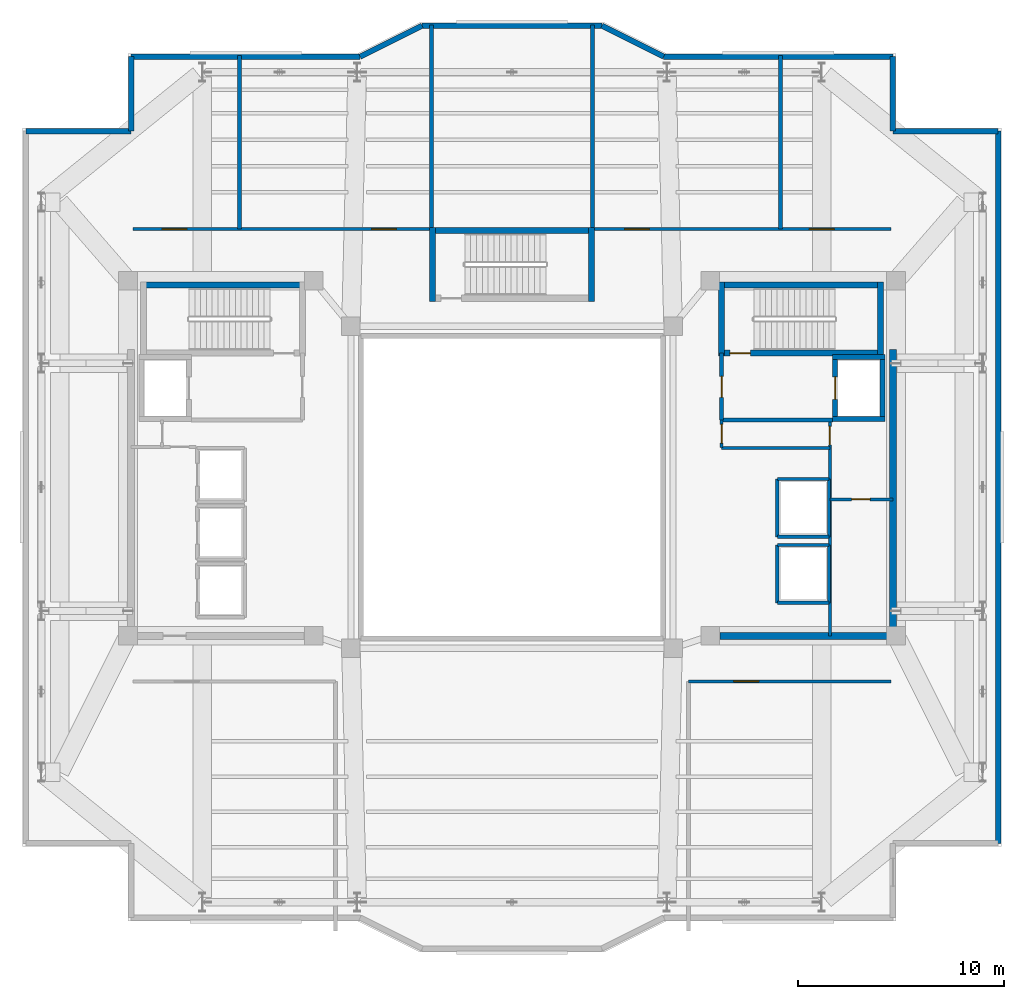
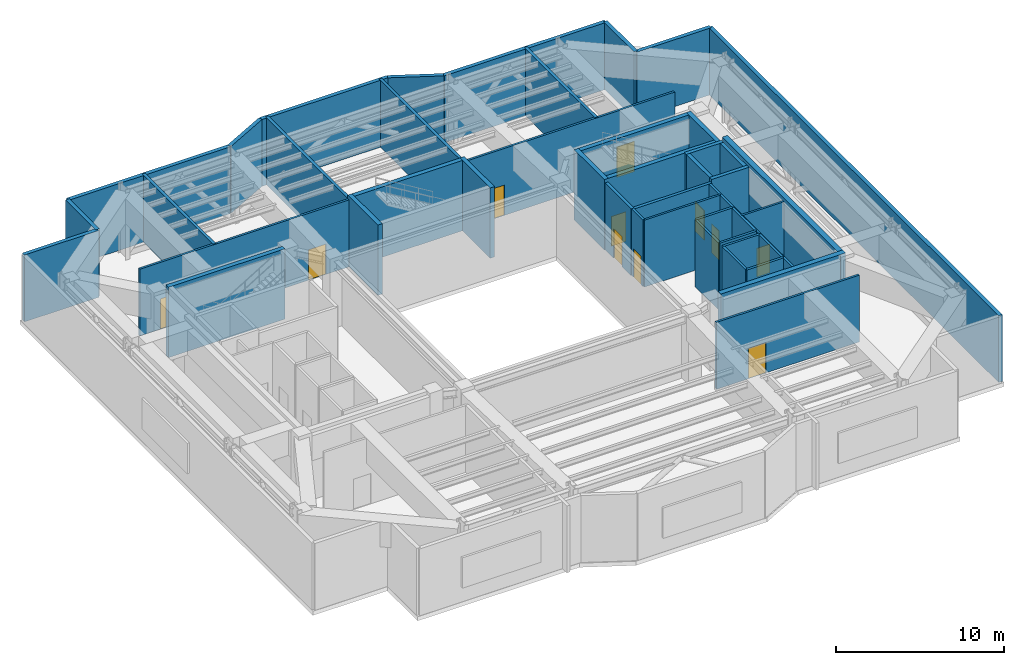
# One storey, part 9 of 13: 45 walls, 11 doors, 11 openings.
"""IFC4 building model written with IfcOpenShell, lengths in metres."""

from ifc_helpers import new_model, si_unit, direction, frame, frame_2d, origin, place, context, subcontext, project, spatial, rectangle, extrude, material, layer, layer_set, type_object, element, fill, save


model = new_model("IFC4")

# Units and contexts
model_context = context("Model", 3, precision=1e-05, world=origin(), true_north=direction((0.0, 1.0)))
body_context = subcontext(model_context, "Body", "Model", "MODEL_VIEW")
ifc_project = project(units=[si_unit("LENGTHUNIT", "METRE"), si_unit("AREAUNIT", "SQUARE_METRE"), si_unit("VOLUMEUNIT", "CUBIC_METRE"), si_unit("PLANEANGLEUNIT", "RADIAN"), si_unit("MASSUNIT", "GRAM", prefix="KILO")], contexts=[model_context])

# Site, building, storey
site_placement = place(None, origin())
site = spatial("IfcSite", under=ifc_project, at=site_placement, CompositionType="ELEMENT")
building_placement = place(site_placement, origin())
building = spatial("IfcBuilding", under=site, at=building_placement, Name="Tarnavaz Court Tower", CompositionType="ELEMENT")
storey_placement = place(building_placement, frame((0.0, 0.0, 236.39990234375)))
storey = spatial("IfcBuildingStorey", under=building, at=storey_placement, Name="L64", CompositionType="ELEMENT", Elevation=236.39990234375)

# Wall, opening, door
ifc_material_1 = material(Name="Concrete C50/60", Category="concrete")
ifc_layer_1 = layer(ifc_material_1, 0.25)
ifc_layer_set_1 = layer_set([ifc_layer_1], Name="Concrete C50/60")
wall_type_1 = type_object("IfcWallType", Name="WL-CORE-250-C50", PredefinedType="SHEAR", material=ifc_layer_set_1)
wall_1_placement = place(storey_placement, frame((15.64990234375, 3.175048828125, 0.0), z_axis=(0.0, 0.0, 1.0), x_axis=(0.0, 1.0, 0.0)))
wall_1 = element("IfcWall", 1, at=wall_1_placement, inside=storey, type_object=wall_type_1, Name="L64 Lift FL-E1 Shaft Wall 033", PredefinedType="SHEAR", context=body_context, shape_type="SweptSolid", body=[
    extrude(rectangle(XDim=3.25, YDim=0.25, at=frame_2d((1.625, 0.0))), origin(), (0.0, 0.0, 1.0), 5.10009765625),
])
opening_1_placement = place(wall_1_placement, frame((1.074951171875, 0.0, 0.0)))
opening_1 = element("IfcOpeningElement", 2, at=opening_1_placement, cuts=wall_1, Name="Opening LD1", PredefinedType="OPENING", context=body_context, shape_type="SweptSolid", body=[
    extrude(rectangle(XDim=1.10009765625, YDim=2.14990234375, at=frame_2d((0.550048828125, 1.074951171875))), frame((0.0, 0.135009765625, 0.0), z_axis=(0.0, -1.0, 0.0), x_axis=(1.0, 0.0, 0.0)), (0.0, 0.0, 1.0), 0.27001953125),
])
ifc_material_2 = material(Name="Stainless Steel", Category="steel")
door_type_1 = type_object("IfcDoorType", Name="DR-LD-1100", OperationType="NOTDEFINED", PredefinedType="DOOR", material=ifc_material_2)
door_1_placement = place(opening_1_placement, origin())
door_1 = element("IfcDoor", 3, at=door_1_placement, inside=storey, type_object=door_type_1, Name="L64 Lift Landing Door LD-FL-E1", OperationType="SLIDING_TO_LEFT", OverallHeight=2.14990234375, OverallWidth=1.10009765625, PredefinedType="DOOR", context=body_context, shape_type="SweptSolid", body=[
    extrude(rectangle(XDim=1.10009765625, YDim=2.14990234375, at=frame_2d((0.550048828125, 1.074951171875))), frame((0.0, 0.02490234375, 0.0), z_axis=(0.0, -1.0, 0.0), x_axis=(1.0, 0.0, 0.0)), (0.0, 0.0, 1.0), 0.050048828125),
])
fill(opening_1, door_1)

# Walls
wall_2_placement = place(storey_placement, frame((17.949951171875, 3.175048828125, 0.0), z_axis=(0.0, 0.0, 1.0), x_axis=(0.0, 1.0, 0.0)))
element("IfcWall", 4, at=wall_2_placement, inside=storey, type_object=wall_type_1, Name="L64 Lift FL-E1 Shaft Wall 034", PredefinedType="SHEAR", context=body_context, shape_type="SweptSolid", body=[
    extrude(rectangle(XDim=3.25, YDim=0.25, at=frame_2d((1.625, 0.0))), origin(), (0.0, 0.0, 1.0), 5.10009765625),
])
for number, where, z_axis, x_axis, name in (
    (5, (15.52490234375, 3.300048828125, 0.0), (0.0, 0.0, 1.0), (1.0, 0.0, 0.0), "L64 Lift FL-E1 Shaft Wall 035"),
    (6, (15.52490234375, 6.300048828125, 0.0), (0.0, 0.0, 1.0), (1.0, 0.0, 0.0), "L64 Lift FL-E1 Shaft Wall 036"),
):
    element("IfcWall", number, at=place(storey_placement, frame(where, z_axis=z_axis, x_axis=x_axis)), inside=storey, type_object=wall_type_1, Name=name, PredefinedType="SHEAR", context=body_context, shape_type="SweptSolid", body=[
        extrude(rectangle(XDim=2.550048828125, YDim=0.25, at=frame_2d((1.27490234375, 0.0))), origin(), (0.0, 0.0, 1.0), 5.10009765625),
    ])
ifc_layer_2 = layer(ifc_material_1, 0.300048828125)
ifc_layer_set_2 = layer_set([ifc_layer_2], Name="Concrete C50/60")
wall_type_2 = type_object("IfcWallType", Name="WL-CORE-300-C50", PredefinedType="SHEAR", material=ifc_layer_set_2)
for number, where, z_axis, x_axis, name in (
    (7, (-18.0, 9.7900390625, 0.0), (0.0, 0.0, 1.0), (1.0, 0.0, 0.0), "L64 West Stair Core Wall 001"),
    (8, (10.0, 9.7900390625, 0.0), (0.0, 0.0, 1.0), (1.0, 0.0, 0.0), "L64 East Stair Core Wall 005"),
):
    element("IfcWall", number, at=place(storey_placement, frame(where, z_axis=z_axis, x_axis=x_axis)), inside=storey, type_object=wall_type_2, Name=name, PredefinedType="SHEAR", context=body_context, shape_type="SweptSolid", body=[
        extrude(rectangle(XDim=8.0, YDim=0.300048828125, at=frame_2d((4.0, 0.0))), origin(), (0.0, 0.0, 1.0), 5.10009765625),
    ])

# Wall, opening, door
wall_3_placement = place(storey_placement, frame((10.0, 6.5, 0.0), z_axis=(0.0, 0.0, 1.0), x_axis=(1.0, 0.0, 0.0)))
wall_3 = element("IfcWall", 9, at=wall_3_placement, inside=storey, type_object=wall_type_2, Name="L64 East Stair Core Wall 006", PredefinedType="SHEAR", context=body_context, shape_type="SweptSolid", body=[
    extrude(rectangle(XDim=8.0, YDim=0.300048828125, at=frame_2d((4.0, 0.0))), origin(), (0.0, 0.0, 1.0), 5.10009765625),
])
opening_2_placement = place(wall_3_placement, frame((0.550048828125, 0.0, 0.0)))
opening_2 = element("IfcOpeningElement", 10, at=opening_2_placement, cuts=wall_3, Name="Opening D01", PredefinedType="OPENING", context=body_context, shape_type="SweptSolid", body=[
    extrude(rectangle(XDim=1.0, YDim=2.14990234375, at=frame_2d((0.5, 1.074951171875))), frame((0.0, 0.159912109375, 0.0), z_axis=(0.0, -1.0, 0.0), x_axis=(1.0, 0.0, 0.0)), (0.0, 0.0, 1.0), 0.320068359375),
])
ifc_material_3 = material(Name="Fire-Rated Hardwood Timber Core", Category="wood")
door_type_2 = type_object("IfcDoorType", Name="DR-FD90-1000", OperationType="NOTDEFINED", PredefinedType="DOOR", material=ifc_material_3)
door_2_placement = place(opening_2_placement, origin())
door_2 = element("IfcDoor", 11, at=door_2_placement, inside=storey, type_object=door_type_2, Name="L64 Stair ST-E1 Exit Door", OperationType="SINGLE_SWING_RIGHT", OverallHeight=2.14990234375, OverallWidth=1.0, PredefinedType="DOOR", context=body_context, shape_type="SweptSolid", body=[
    extrude(rectangle(XDim=1.0, YDim=2.14990234375, at=frame_2d((0.5, 1.074951171875))), frame((0.0, 0.02490234375, 0.0), z_axis=(0.0, -1.0, 0.0), x_axis=(1.0, 0.0, 0.0)), (0.0, 0.0, 1.0), 0.050048828125),
])
fill(opening_2, door_2)

# Walls
for number, where, z_axis, x_axis, name in (
    (12, (10.14990234375, 6.35009765625, 0.0), (0.0, 0.0, 1.0), (0.0, 1.0, 0.0), "L64 East Stair Core Wall 007"),
    (13, (17.85009765625, 6.35009765625, 0.0), (0.0, 0.0, 1.0), (0.0, 1.0, 0.0), "L64 East Stair Core Wall 008"),
):
    element("IfcWall", number, at=place(storey_placement, frame(where, z_axis=z_axis, x_axis=x_axis)), inside=storey, type_object=wall_type_2, Name=name, PredefinedType="SHEAR", context=body_context, shape_type="SweptSolid", body=[
        extrude(rectangle(XDim=3.58984375, YDim=0.300048828125, at=frame_2d((1.794921875, 0.0))), origin(), (0.0, 0.0, 1.0), 5.10009765625),
    ])
wall_4_placement = place(storey_placement, frame((-4.0, 12.43994140625, 0.0), z_axis=(0.0, 0.0, 1.0), x_axis=(1.0, 0.0, 0.0)))
element("IfcWall", 14, at=wall_4_placement, inside=storey, type_object=wall_type_2, Name="L64 North Stair Core Wall 009", PredefinedType="SHEAR", context=body_context, shape_type="SweptSolid", body=[
    extrude(rectangle(XDim=8.0, YDim=0.300048828125, at=frame_2d((4.0, 0.0))), origin(), (0.0, 0.0, 1.0), 5.10009765625),
])
for number, where, z_axis, x_axis, name in (
    (15, (-3.85009765625, 9.0, 0.0), (0.0, 0.0, 1.0), (0.0, 1.0, 0.0), "L64 North Stair Core Wall 011"),
    (16, (3.85009765625, 9.0, 0.0), (0.0, 0.0, 1.0), (0.0, 1.0, 0.0), "L64 North Stair Core Wall 012"),
):
    element("IfcWall", number, at=place(storey_placement, frame(where, z_axis=z_axis, x_axis=x_axis)), inside=storey, type_object=wall_type_2, Name=name, PredefinedType="SHEAR", context=body_context, shape_type="SweptSolid", body=[
        extrude(rectangle(XDim=3.590087890625, YDim=0.300048828125, at=frame_2d((1.794921875, 0.0))), origin(), (0.0, 0.0, 1.0), 5.10009765625),
    ])
ifc_layer_3 = layer(ifc_material_1, 0.35009765625)
ifc_layer_set_3 = layer_set([ifc_layer_3], Name="Concrete C50/60")
wall_type_3 = type_object("IfcWallType", Name="WL-CORE-350-C50", PredefinedType="SHEAR", material=ifc_layer_set_3)
wall_5_placement = place(storey_placement, frame((18.449951171875, -7.375, 0.0), z_axis=(0.0, 0.0, 1.0), x_axis=(0.0, 1.0, 0.0)))
element("IfcWall", 17, at=wall_5_placement, inside=storey, type_object=wall_type_3, Name="L64 East Core Shear Wall 047", PredefinedType="SHEAR", context=body_context, shape_type="SweptSolid", body=[
    extrude(rectangle(XDim=14.050048828125, YDim=0.35009765625, at=frame_2d((7.02490234375, 0.0))), origin(), (0.0, 0.0, 1.0), 5.10009765625),
])
wall_6_placement = place(storey_placement, frame((10.074951171875, -7.199951171875, 0.0), z_axis=(0.0, 0.0, 1.0), x_axis=(1.0, 0.0, 0.0)))
element("IfcWall", 18, at=wall_6_placement, inside=storey, type_object=wall_type_3, Name="L64 East Core South Shear Wall 048", PredefinedType="SHEAR", context=body_context, shape_type="SweptSolid", body=[
    extrude(rectangle(XDim=8.550048828125, YDim=0.35009765625, at=frame_2d((4.27490234375, 0.0))), origin(), (0.0, 0.0, 1.0), 5.10009765625),
])
ifc_material_4 = material(Name="Precast Concrete C40/50", Category="concrete")
ifc_layer_4 = layer(ifc_material_4, 0.260009765625)
ifc_layer_set_4 = layer_set([ifc_layer_4], Name="Precast Concrete C40/50")
wall_type_4 = type_object("IfcWallType", Name="WL-EXT-260", PredefinedType="SOLIDWALL", material=ifc_layer_set_4)
wall_7_placement = place(storey_placement, frame((-23.550048828125, 17.25, 0.0), z_axis=(0.0, 0.0, 1.0), x_axis=(1.0, 0.0, 0.0)))
element("IfcWall", 19, at=wall_7_placement, inside=storey, type_object=wall_type_4, Name="L64 Exterior Terracotta Facade Wall 03", PredefinedType="SOLIDWALL", context=body_context, shape_type="SweptSolid", body=[
    extrude(rectangle(XDim=5.10009765625, YDim=0.260009765625, at=frame_2d((2.550048828125, 0.0))), origin(), (0.0, 0.0, 1.0), 4.85009765625),
])
wall_8_placement = place(storey_placement, frame((-18.449951171875, 17.25, 0.0), z_axis=(0.0, 0.0, 1.0), x_axis=(0.0, 1.0, 0.0)))
element("IfcWall", 20, at=wall_8_placement, inside=storey, type_object=wall_type_4, Name="L64 Exterior Terracotta Facade Wall 04", PredefinedType="SOLIDWALL", context=body_context, shape_type="SweptSolid", body=[
    extrude(rectangle(XDim=3.60009765625, YDim=0.260009765625, at=frame_2d((1.800048828125, 0.0))), origin(), (0.0, 0.0, 1.0), 4.85009765625),
])
wall_9_placement = place(storey_placement, frame((-18.449951171875, 20.85009765625, 0.0), z_axis=(0.0, 0.0, 1.0), x_axis=(1.0, 0.0, 0.0)))
element("IfcWall", 21, at=wall_9_placement, inside=storey, type_object=wall_type_4, Name="L64 Exterior Terracotta Facade Wall 05", PredefinedType="SOLIDWALL", context=body_context, shape_type="SweptSolid", body=[
    extrude(rectangle(XDim=11.099853515625, YDim=0.260009765625, at=frame_2d((5.5498046875, 0.0))), origin(), (0.0, 0.0, 1.0), 4.85009765625),
])
wall_10_placement = place(storey_placement, frame((-7.35009765625, 20.85009765625, 0.0), z_axis=(0.0, 0.0, 1.0), x_axis=(0.894427191, 0.4472135955, 0.0)))
element("IfcWall", 22, at=wall_10_placement, inside=storey, type_object=wall_type_4, Name="L64 Exterior Terracotta Facade Wall 06", PredefinedType="SOLIDWALL", context=body_context, shape_type="SweptSolid", body=[
    extrude(rectangle(XDim=3.35400390625, YDim=0.260009765625, at=frame_2d((1.677001953125, 0.0))), origin(), (0.0, 0.0, 1.0), 4.85009765625),
])
wall_11_placement = place(storey_placement, frame((-4.35009765625, 22.35009765625, 0.0), z_axis=(0.0, 0.0, 1.0), x_axis=(1.0, 0.0, 0.0)))
element("IfcWall", 23, at=wall_11_placement, inside=storey, type_object=wall_type_4, Name="L64 Exterior Terracotta Facade Wall 07", PredefinedType="SOLIDWALL", context=body_context, shape_type="SweptSolid", body=[
    extrude(rectangle(XDim=8.7001953125, YDim=0.260009765625, at=frame_2d((4.35009765625, 0.0))), origin(), (0.0, 0.0, 1.0), 4.85009765625),
])
wall_12_placement = place(storey_placement, frame((4.35009765625, 22.35009765625, 0.0), z_axis=(0.0, 0.0, 1.0), x_axis=(0.894427191, -0.4472135955, 0.0)))
element("IfcWall", 24, at=wall_12_placement, inside=storey, type_object=wall_type_4, Name="L64 Exterior Terracotta Facade Wall 08", PredefinedType="SOLIDWALL", context=body_context, shape_type="SweptSolid", body=[
    extrude(rectangle(XDim=3.35400390625, YDim=0.260009765625, at=frame_2d((1.677001953125, 0.0))), origin(), (0.0, 0.0, 1.0), 4.85009765625),
])
wall_13_placement = place(storey_placement, frame((7.35009765625, 20.85009765625, 0.0), z_axis=(0.0, 0.0, 1.0), x_axis=(1.0, 0.0, 0.0)))
element("IfcWall", 25, at=wall_13_placement, inside=storey, type_object=wall_type_4, Name="L64 Exterior Terracotta Facade Wall 09", PredefinedType="SOLIDWALL", context=body_context, shape_type="SweptSolid", body=[
    extrude(rectangle(XDim=11.099853515625, YDim=0.260009765625, at=frame_2d((5.5498046875, 0.0))), origin(), (0.0, 0.0, 1.0), 4.85009765625),
])
wall_14_placement = place(storey_placement, frame((18.449951171875, 20.85009765625, 0.0), z_axis=(0.0, 0.0, 1.0), x_axis=(0.0, -1.0, 0.0)))
element("IfcWall", 26, at=wall_14_placement, inside=storey, type_object=wall_type_4, Name="L64 Exterior Terracotta Facade Wall 10", PredefinedType="SOLIDWALL", context=body_context, shape_type="SweptSolid", body=[
    extrude(rectangle(XDim=3.60009765625, YDim=0.260009765625, at=frame_2d((1.800048828125, 0.0))), origin(), (0.0, 0.0, 1.0), 4.85009765625),
])
wall_15_placement = place(storey_placement, frame((18.449951171875, 17.25, 0.0), z_axis=(0.0, 0.0, 1.0), x_axis=(1.0, 0.0, 0.0)))
element("IfcWall", 27, at=wall_15_placement, inside=storey, type_object=wall_type_4, Name="L64 Exterior Terracotta Facade Wall 11", PredefinedType="SOLIDWALL", context=body_context, shape_type="SweptSolid", body=[
    extrude(rectangle(XDim=5.10009765625, YDim=0.260009765625, at=frame_2d((2.550048828125, 0.0))), origin(), (0.0, 0.0, 1.0), 4.85009765625),
])
wall_16_placement = place(storey_placement, frame((23.550048828125, 17.25, 0.0), z_axis=(0.0, 0.0, 1.0), x_axis=(0.0, -1.0, 0.0)))
element("IfcWall", 28, at=wall_16_placement, inside=storey, type_object=wall_type_4, Name="L64 Exterior Terracotta Facade Wall 12", PredefinedType="SOLIDWALL", context=body_context, shape_type="SweptSolid", body=[
    extrude(rectangle(XDim=34.5, YDim=0.260009765625, at=frame_2d((17.25, 0.0))), origin(), (0.0, 0.0, 1.0), 4.85009765625),
])

# Wall, openings, doors
ifc_material_5 = material(Name="Gypsum Fire-Board on Acoustic Metal Stud", Category="masonry")
ifc_layer_5 = layer(ifc_material_5, 0.14990234375)
ifc_layer_set_5 = layer_set([ifc_layer_5], Name="Gypsum Fire-Board on Acoustic Metal Stud")
wall_type_5 = type_object("IfcWallType", Name="WL-FIRE-150", PredefinedType="PARTITIONING", material=ifc_layer_set_5)
wall_17_placement = place(storey_placement, frame((-18.35009765625, 12.5, 0.0), z_axis=(0.0, 0.0, 1.0), x_axis=(1.0, 0.0, 0.0)))
wall_17 = element("IfcWall", 29, at=wall_17_placement, inside=storey, type_object=wall_type_5, Name="L64 NW Wing Corridor Wall 055", PredefinedType="PARTITIONING", context=body_context, shape_type="SweptSolid", body=[
    extrude(rectangle(XDim=14.5, YDim=0.14990234375, at=frame_2d((7.25, 0.0))), origin(), (0.0, 0.0, 1.0), 4.85009765625),
])
opening_3_placement = place(wall_17_placement, frame((1.39990234375, 0.0, 0.0)))
opening_3 = element("IfcOpeningElement", 30, at=opening_3_placement, cuts=wall_17, Name="Opening D03", PredefinedType="OPENING", context=body_context, shape_type="SweptSolid", body=[
    extrude(rectangle(XDim=1.199951171875, YDim=2.199951171875, at=frame_2d((0.60009765625, 1.10009765625))), frame((0.0, 0.0849609375, 0.0), z_axis=(0.0, -1.0, 0.0), x_axis=(1.0, 0.0, 0.0)), (0.0, 0.0, 1.0), 0.169921875),
])
opening_4_placement = place(wall_17_placement, frame((11.550048828125, 0.0, 0.0)))
opening_4 = element("IfcOpeningElement", 31, at=opening_4_placement, cuts=wall_17, Name="Opening D03", PredefinedType="OPENING", context=body_context, shape_type="SweptSolid", body=[
    extrude(rectangle(XDim=1.199951171875, YDim=2.199951171875, at=frame_2d((0.60009765625, 1.10009765625))), frame((0.0, 0.0849609375, 0.0), z_axis=(0.0, -1.0, 0.0), x_axis=(1.0, 0.0, 0.0)), (0.0, 0.0, 1.0), 0.169921875),
])
door_type_3 = type_object("IfcDoorType", Name="DR-FD90-1200", OperationType="NOTDEFINED", PredefinedType="DOOR", material=ifc_material_3)
door_3_placement = place(opening_3_placement, origin())
door_3 = element("IfcDoor", 32, at=door_3_placement, inside=storey, type_object=door_type_3, Name="L64 Chilled Water Plant Door", OperationType="SINGLE_SWING_LEFT", OverallHeight=2.199951171875, OverallWidth=1.199951171875, PredefinedType="DOOR", context=body_context, shape_type="SweptSolid", body=[
    extrude(rectangle(XDim=1.199951171875, YDim=2.199951171875, at=frame_2d((0.60009765625, 1.10009765625))), frame((0.0, 0.02490234375, 0.0), z_axis=(0.0, -1.0, 0.0), x_axis=(1.0, 0.0, 0.0)), (0.0, 0.0, 1.0), 0.050048828125),
])
fill(opening_3, door_3)
door_4_placement = place(opening_4_placement, origin())
door_4 = element("IfcDoor", 33, at=door_4_placement, inside=storey, type_object=door_type_3, Name="L64 North Refuge Area Door", OperationType="SINGLE_SWING_RIGHT", OverallHeight=2.199951171875, OverallWidth=1.199951171875, PredefinedType="DOOR", context=body_context, shape_type="SweptSolid", body=[
    extrude(rectangle(XDim=1.199951171875, YDim=2.199951171875, at=frame_2d((0.60009765625, 1.10009765625))), frame((0.0, 0.02490234375, 0.0), z_axis=(0.0, -1.0, 0.0), x_axis=(1.0, 0.0, 0.0)), (0.0, 0.0, 1.0), 0.050048828125),
])
fill(opening_4, door_4)

wall_18_placement = place(storey_placement, frame((3.85009765625, 12.5, 0.0), z_axis=(0.0, 0.0, 1.0), x_axis=(1.0, 0.0, 0.0)))
wall_18 = element("IfcWall", 34, at=wall_18_placement, inside=storey, type_object=wall_type_5, Name="L64 NE Wing Corridor Wall 056", PredefinedType="PARTITIONING", context=body_context, shape_type="SweptSolid", body=[
    extrude(rectangle(XDim=14.5, YDim=0.14990234375, at=frame_2d((7.25, 0.0))), origin(), (0.0, 0.0, 1.0), 4.85009765625),
])
opening_5_placement = place(wall_18_placement, frame((1.60009765625, 0.0, 0.0)))
opening_5 = element("IfcOpeningElement", 35, at=opening_5_placement, cuts=wall_18, Name="Opening D03", PredefinedType="OPENING", context=body_context, shape_type="SweptSolid", body=[
    extrude(rectangle(XDim=1.199951171875, YDim=2.199951171875, at=frame_2d((0.60009765625, 1.10009765625))), frame((0.0, 0.0849609375, 0.0), z_axis=(0.0, -1.0, 0.0), x_axis=(1.0, 0.0, 0.0)), (0.0, 0.0, 1.0), 0.169921875),
])
opening_6_placement = place(wall_18_placement, frame((10.550048828125, 0.0, 0.0)))
opening_6 = element("IfcOpeningElement", 36, at=opening_6_placement, cuts=wall_18, Name="Opening D03", PredefinedType="OPENING", context=body_context, shape_type="SweptSolid", body=[
    extrude(rectangle(XDim=1.199951171875, YDim=2.199951171875, at=frame_2d((0.60009765625, 1.10009765625))), frame((0.0, 0.0849609375, 0.0), z_axis=(0.0, -1.0, 0.0), x_axis=(1.0, 0.0, 0.0)), (0.0, 0.0, 1.0), 0.169921875),
])
door_5_placement = place(opening_5_placement, origin())
door_5 = element("IfcDoor", 37, at=door_5_placement, inside=storey, type_object=door_type_3, Name="L64 AHU Plant Room Door", OperationType="SINGLE_SWING_LEFT", OverallHeight=2.199951171875, OverallWidth=1.199951171875, PredefinedType="DOOR", context=body_context, shape_type="SweptSolid", body=[
    extrude(rectangle(XDim=1.199951171875, YDim=2.199951171875, at=frame_2d((0.60009765625, 1.10009765625))), frame((0.0, 0.02490234375, 0.0), z_axis=(0.0, -1.0, 0.0), x_axis=(1.0, 0.0, 0.0)), (0.0, 0.0, 1.0), 0.050048828125),
])
fill(opening_5, door_5)
door_6_placement = place(opening_6_placement, origin())
door_6 = element("IfcDoor", 38, at=door_6_placement, inside=storey, type_object=door_type_3, Name="L64 Booster Pump Room Door", OperationType="SINGLE_SWING_RIGHT", OverallHeight=2.199951171875, OverallWidth=1.199951171875, PredefinedType="DOOR", context=body_context, shape_type="SweptSolid", body=[
    extrude(rectangle(XDim=1.199951171875, YDim=2.199951171875, at=frame_2d((0.60009765625, 1.10009765625))), frame((0.0, 0.02490234375, 0.0), z_axis=(0.0, -1.0, 0.0), x_axis=(1.0, 0.0, 0.0)), (0.0, 0.0, 1.0), 0.050048828125),
])
fill(opening_6, door_6)

# Wall, opening, door
wall_19_placement = place(storey_placement, frame((8.550048828125, -9.39990234375, 0.0), z_axis=(0.0, 0.0, 1.0), x_axis=(1.0, 0.0, 0.0)))
wall_19 = element("IfcWall", 39, at=wall_19_placement, inside=storey, type_object=wall_type_5, Name="L64 SE Lobby Wall 058", PredefinedType="PARTITIONING", context=body_context, shape_type="SweptSolid", body=[
    extrude(rectangle(XDim=9.800048828125, YDim=0.14990234375, at=frame_2d((4.89990234375, 0.0))), origin(), (0.0, 0.0, 1.0), 4.85009765625),
])
opening_7_placement = place(wall_19_placement, frame((2.199951171875, 0.0, 0.0)))
opening_7 = element("IfcOpeningElement", 40, at=opening_7_placement, cuts=wall_19, Name="Opening D03", PredefinedType="OPENING", context=body_context, shape_type="SweptSolid", body=[
    extrude(rectangle(XDim=1.199951171875, YDim=2.199951171875, at=frame_2d((0.60009765625, 1.10009765625))), frame((0.0, 0.0849609375, 0.0), z_axis=(0.0, -1.0, 0.0), x_axis=(1.0, 0.0, 0.0)), (0.0, 0.0, 1.0), 0.169921875),
])
door_7_placement = place(opening_7_placement, origin())
door_7 = element("IfcDoor", 41, at=door_7_placement, inside=storey, type_object=door_type_3, Name="L64 South Refuge Area Door", OperationType="SINGLE_SWING_RIGHT", OverallHeight=2.199951171875, OverallWidth=1.199951171875, PredefinedType="DOOR", context=body_context, shape_type="SweptSolid", body=[
    extrude(rectangle(XDim=1.199951171875, YDim=2.199951171875, at=frame_2d((0.60009765625, 1.10009765625))), frame((0.0, 0.02490234375, 0.0), z_axis=(0.0, -1.0, 0.0), x_axis=(1.0, 0.0, 0.0)), (0.0, 0.0, 1.0), 0.050048828125),
])
fill(opening_7, door_7)

# Wall
ifc_material_6 = material(Name="Autoclaved Aerated Concrete Blockwork", Category="masonry")
ifc_layer_6 = layer(ifc_material_6, 0.199951171875)
ifc_layer_set_6 = layer_set([ifc_layer_6], Name="Autoclaved Aerated Concrete Blockwork")
wall_type_6 = type_object("IfcWallType", Name="WL-FIRE-200", PredefinedType="SOLIDWALL", material=ifc_layer_set_6)
wall_20_placement = place(storey_placement, frame((10.14990234375, 3.25, 0.0), z_axis=(0.0, 0.0, 1.0), x_axis=(1.0, 0.0, 0.0)))
element("IfcWall", 42, at=wall_20_placement, inside=storey, type_object=wall_type_6, Name="L64 East Firefighting Lobby Wall 015", PredefinedType="SOLIDWALL", context=body_context, shape_type="SweptSolid", body=[
    extrude(rectangle(XDim=5.400146484375, YDim=0.199951171875, at=frame_2d((2.7001953125, 0.0))), origin(), (0.0, 0.0, 1.0), 4.85009765625),
])

# Wall, opening, door
wall_21_placement = place(storey_placement, frame((10.14990234375, 3.25, 0.0), z_axis=(0.0, 0.0, 1.0), x_axis=(0.0, 1.0, 0.0)))
wall_21 = element("IfcWall", 43, at=wall_21_placement, inside=storey, type_object=wall_type_6, Name="L64 East Firefighting Lobby Wall 016", PredefinedType="SOLIDWALL", context=body_context, shape_type="SweptSolid", body=[
    extrude(rectangle(XDim=3.25, YDim=0.199951171875, at=frame_2d((1.625, 0.0))), origin(), (0.0, 0.0, 1.0), 4.85009765625),
])
opening_8_placement = place(wall_21_placement, frame((1.10009765625, 0.0, 0.0)))
opening_8 = element("IfcOpeningElement", 44, at=opening_8_placement, cuts=wall_21, Name="Opening D05", PredefinedType="OPENING", context=body_context, shape_type="SweptSolid", body=[
    extrude(rectangle(XDim=1.02001953125, YDim=2.14990234375, at=frame_2d((0.510009765625, 1.074951171875))), frame((0.0, 0.10986328125, 0.0), z_axis=(0.0, -1.0, 0.0), x_axis=(1.0, 0.0, 0.0)), (0.0, 0.0, 1.0), 0.219970703125),
])
door_type_4 = type_object("IfcDoorType", Name="DR-FD60-1000", OperationType="NOTDEFINED", PredefinedType="DOOR", material=ifc_material_3)
door_8_placement = place(opening_8_placement, origin())
door_8 = element("IfcDoor", 45, at=door_8_placement, inside=storey, type_object=door_type_4, Name="L64 East Firefighting Lobby Door", OperationType="SINGLE_SWING_LEFT", OverallHeight=2.14990234375, OverallWidth=1.02001953125, PredefinedType="DOOR", context=body_context, shape_type="SweptSolid", body=[
    extrude(rectangle(XDim=1.02001953125, YDim=2.14990234375, at=frame_2d((0.510009765625, 1.074951171875))), frame((0.0, 0.02490234375, 0.0), z_axis=(0.0, -1.0, 0.0), x_axis=(1.0, 0.0, 0.0)), (0.0, 0.0, 1.0), 0.050048828125),
])
fill(opening_8, door_8)

# Walls
for number, where, z_axis, x_axis, name in (
    (46, (-3.89990234375, 12.5, 0.0), (0.0, 0.0, 1.0), (0.0, 1.0, 0.0), "L64 Interior Partition 059"),
    (47, (3.89990234375, 12.5, 0.0), (0.0, 0.0, 1.0), (0.0, 1.0, 0.0), "L64 Interior Partition 060"),
):
    element("IfcWall", number, at=place(storey_placement, frame(where, z_axis=z_axis, x_axis=x_axis)), inside=storey, type_object=wall_type_6, Name=name, PredefinedType="SOLIDWALL", context=body_context, shape_type="SweptSolid", body=[
        extrude(rectangle(XDim=9.8798828125, YDim=0.199951171875, at=frame_2d((4.93994140625, 0.0))), origin(), (0.0, 0.0, 1.0), 4.85009765625),
    ])
for number, where, z_axis, x_axis, name in (
    (48, (-13.199951171875, 12.5, 0.0), (0.0, 0.0, 1.0), (0.0, 1.0, 0.0), "L64 Interior Partition 061"),
    (49, (13.0, 12.5, 0.0), (0.0, 0.0, 1.0), (0.0, 1.0, 0.0), "L64 Interior Partition 062"),
):
    element("IfcWall", number, at=place(storey_placement, frame(where, z_axis=z_axis, x_axis=x_axis)), inside=storey, type_object=wall_type_6, Name=name, PredefinedType="SOLIDWALL", context=body_context, shape_type="SweptSolid", body=[
        extrude(rectangle(XDim=8.39990234375, YDim=0.199951171875, at=frame_2d((4.199951171875, 0.0))), origin(), (0.0, 0.0, 1.0), 4.85009765625),
    ])
ifc_material_7 = material(Name="Gypsum Plasterboard Acoustic Partition", Category="masonry")
ifc_layer_7 = layer(ifc_material_7, 0.139892578125)
ifc_layer_set_7 = layer_set([ifc_layer_7], Name="Gypsum Plasterboard Acoustic Partition")
wall_type_7 = type_object("IfcWallType", Name="WL-PART-150", PredefinedType="PARTITIONING", material=ifc_layer_set_7)
wall_22_placement = place(storey_placement, frame((10.14990234375, 1.89990234375, 0.0), z_axis=(0.0, 0.0, 1.0), x_axis=(1.0, 0.0, 0.0)))
element("IfcWall", 50, at=wall_22_placement, inside=storey, type_object=wall_type_7, Name="L64 Interior Partition 051", PredefinedType="PARTITIONING", context=body_context, shape_type="SweptSolid", body=[
    extrude(rectangle(XDim=5.25, YDim=0.139892578125, at=frame_2d((2.625, 0.0))), origin(), (0.0, 0.0, 1.0), 4.85009765625),
])

# Wall, opening, door
wall_23_placement = place(storey_placement, frame((10.14990234375, 1.919921875, 0.0), z_axis=(0.0, 0.0, 1.0), x_axis=(0.0, 1.0, 0.0)))
wall_23 = element("IfcWall", 51, at=wall_23_placement, inside=storey, type_object=wall_type_7, Name="L64 Interior Partition 052", PredefinedType="PARTITIONING", context=body_context, shape_type="SweptSolid", body=[
    extrude(rectangle(XDim=1.330078125, YDim=0.139892578125, at=frame_2d((0.6650390625, 0.0))), origin(), (0.0, 0.0, 1.0), 4.85009765625),
])
opening_9_placement = place(wall_23_placement, frame((0.219970703125, 0.0, 0.0)))
opening_9 = element("IfcOpeningElement", 52, at=opening_9_placement, cuts=wall_23, Name="Opening D09", PredefinedType="OPENING", context=body_context, shape_type="SweptSolid", body=[
    extrude(rectangle(XDim=0.89990234375, YDim=2.080078125, at=frame_2d((0.449951171875, 1.0400390625))), frame((0.0, 0.079833984375, 0.0), z_axis=(0.0, -1.0, 0.0), x_axis=(1.0, 0.0, 0.0)), (0.0, 0.0, 1.0), 0.159912109375),
])
door_type_5 = type_object("IfcDoorType", Name="DR-FD30-900", OperationType="NOTDEFINED", PredefinedType="DOOR", material=ifc_material_3)
door_9_placement = place(opening_9_placement, origin())
door_9 = element("IfcDoor", 53, at=door_9_placement, inside=storey, type_object=door_type_5, Name="L64 East Core Service Lobby Door", OperationType="SINGLE_SWING_RIGHT", OverallHeight=2.080078125, OverallWidth=0.89990234375, PredefinedType="DOOR", context=body_context, shape_type="SweptSolid", body=[
    extrude(rectangle(XDim=0.89990234375, YDim=2.080078125, at=frame_2d((0.449951171875, 1.0400390625))), frame((0.0, 0.02490234375, 0.0), z_axis=(0.0, -1.0, 0.0), x_axis=(1.0, 0.0, 0.0)), (0.0, 0.0, 1.0), 0.050048828125),
])
fill(opening_9, door_9)

wall_24_placement = place(storey_placement, frame((15.39990234375, -7.199951171875, 0.0), z_axis=(0.0, 0.0, 1.0), x_axis=(0.0, 1.0, 0.0)))
wall_24 = element("IfcWall", 54, at=wall_24_placement, inside=storey, type_object=wall_type_7, Name="L64 Interior Partition 053", PredefinedType="PARTITIONING", context=body_context, shape_type="SweptSolid", body=[
    extrude(rectangle(XDim=10.449951171875, YDim=0.139892578125, at=frame_2d((5.22509765625, 0.0))), origin(), (0.0, 0.0, 1.0), 4.85009765625),
])
opening_10_placement = place(wall_24_placement, frame((9.25, 0.0, 0.0)))
opening_10 = element("IfcOpeningElement", 55, at=opening_10_placement, cuts=wall_24, Name="Opening D09", PredefinedType="OPENING", context=body_context, shape_type="SweptSolid", body=[
    extrude(rectangle(XDim=0.89990234375, YDim=2.080078125, at=frame_2d((0.449951171875, 1.0400390625))), frame((0.0, 0.079833984375, 0.0), z_axis=(0.0, -1.0, 0.0), x_axis=(1.0, 0.0, 0.0)), (0.0, 0.0, 1.0), 0.159912109375),
])
door_10_placement = place(opening_10_placement, origin())
door_10 = element("IfcDoor", 56, at=door_10_placement, inside=storey, type_object=door_type_5, Name="L64 East Wet Riser Door", OperationType="SINGLE_SWING_LEFT", OverallHeight=2.080078125, OverallWidth=0.89990234375, PredefinedType="DOOR", context=body_context, shape_type="SweptSolid", body=[
    extrude(rectangle(XDim=0.89990234375, YDim=2.080078125, at=frame_2d((0.449951171875, 1.0400390625))), frame((0.0, 0.02490234375, 0.0), z_axis=(0.0, -1.0, 0.0), x_axis=(1.0, 0.0, 0.0)), (0.0, 0.0, 1.0), 0.050048828125),
])
fill(opening_10, door_10)

wall_25_placement = place(storey_placement, frame((15.39990234375, -0.590087890625, 0.0), z_axis=(0.0, 0.0, 1.0), x_axis=(1.0, 0.0, 0.0)))
wall_25 = element("IfcWall", 57, at=wall_25_placement, inside=storey, type_object=wall_type_7, Name="L64 Interior Partition 054", PredefinedType="PARTITIONING", context=body_context, shape_type="SweptSolid", body=[
    extrude(rectangle(XDim=3.050048828125, YDim=0.139892578125, at=frame_2d((1.52490234375, 0.0))), origin(), (0.0, 0.0, 1.0), 4.85009765625),
])
opening_11_placement = place(wall_25_placement, frame((1.050048828125, 0.0, 0.0)))
opening_11 = element("IfcOpeningElement", 58, at=opening_11_placement, cuts=wall_25, Name="Opening D09", PredefinedType="OPENING", context=body_context, shape_type="SweptSolid", body=[
    extrude(rectangle(XDim=0.89990234375, YDim=2.080078125, at=frame_2d((0.449951171875, 1.0400390625))), frame((0.0, 0.079833984375, 0.0), z_axis=(0.0, -1.0, 0.0), x_axis=(1.0, 0.0, 0.0)), (0.0, 0.0, 1.0), 0.159912109375),
])
door_11_placement = place(opening_11_placement, origin())
door_11 = element("IfcDoor", 59, at=door_11_placement, inside=storey, type_object=door_type_5, Name="L64 East Electrical Plant Door", OperationType="SINGLE_SWING_RIGHT", OverallHeight=2.080078125, OverallWidth=0.89990234375, PredefinedType="DOOR", context=body_context, shape_type="SweptSolid", body=[
    extrude(rectangle(XDim=0.89990234375, YDim=2.080078125, at=frame_2d((0.449951171875, 1.0400390625))), frame((0.0, 0.02490234375, 0.0), z_axis=(0.0, -1.0, 0.0), x_axis=(1.0, 0.0, 0.0)), (0.0, 0.0, 1.0), 0.050048828125),
])
fill(opening_11, door_11)

# Walls
ifc_layer_8 = layer(ifc_material_6, 0.159912109375)
ifc_layer_set_8 = layer_set([ifc_layer_8], Name="Autoclaved Aerated Concrete Blockwork")
wall_type_8 = type_object("IfcWallType", Name="WL-SHAFT-150", PredefinedType="SOLIDWALL", material=ifc_layer_set_8)
for number, where, z_axis, x_axis, name in (
    (60, (12.85009765625, -5.60009765625, 0.0), (0.0, 0.0, 1.0), (0.0, 1.0, 0.0), "L64 Lift PL-OB1 Shaft Wall 037"),
    (61, (15.35009765625, -5.60009765625, 0.0), (0.0, 0.0, 1.0), (0.0, 1.0, 0.0), "L64 Lift PL-OB1 Shaft Wall 038"),
):
    element("IfcWall", number, at=place(storey_placement, frame(where, z_axis=z_axis, x_axis=x_axis)), inside=storey, type_object=wall_type_8, Name=name, PredefinedType="SOLIDWALL", context=body_context, shape_type="SweptSolid", body=[
        extrude(rectangle(XDim=2.800048828125, YDim=0.159912109375, at=frame_2d((1.39990234375, 0.0))), origin(), (0.0, 0.0, 1.0), 4.85009765625),
    ])
for number, where, z_axis, x_axis, name in (
    (62, (12.85009765625, -5.60009765625, 0.0), (0.0, 0.0, 1.0), (1.0, 0.0, 0.0), "L64 Lift PL-OB1 Shaft Wall 039"),
    (63, (12.85009765625, -2.800048828125, 0.0), (0.0, 0.0, 1.0), (1.0, 0.0, 0.0), "L64 Lift PL-OB1 Shaft Wall 040"),
):
    element("IfcWall", number, at=place(storey_placement, frame(where, z_axis=z_axis, x_axis=x_axis)), inside=storey, type_object=wall_type_8, Name=name, PredefinedType="SOLIDWALL", context=body_context, shape_type="SweptSolid", body=[
        extrude(rectangle(XDim=2.5, YDim=0.159912109375, at=frame_2d((1.25, 0.0))), origin(), (0.0, 0.0, 1.0), 4.85009765625),
    ])
for number, where, z_axis, x_axis, name in (
    (64, (12.85009765625, -2.39990234375, 0.0), (0.0, 0.0, 1.0), (0.0, 1.0, 0.0), "L64 Lift PL-OB2 Shaft Wall 041"),
    (65, (15.35009765625, -2.39990234375, 0.0), (0.0, 0.0, 1.0), (0.0, 1.0, 0.0), "L64 Lift PL-OB2 Shaft Wall 042"),
):
    element("IfcWall", number, at=place(storey_placement, frame(where, z_axis=z_axis, x_axis=x_axis)), inside=storey, type_object=wall_type_8, Name=name, PredefinedType="SOLIDWALL", context=body_context, shape_type="SweptSolid", body=[
        extrude(rectangle(XDim=2.7998046875, YDim=0.159912109375, at=frame_2d((1.39990234375, 0.0))), origin(), (0.0, 0.0, 1.0), 4.85009765625),
    ])
for number, where, z_axis, x_axis, name in (
    (66, (12.85009765625, -2.39990234375, 0.0), (0.0, 0.0, 1.0), (1.0, 0.0, 0.0), "L64 Lift PL-OB2 Shaft Wall 043"),
    (67, (12.85009765625, 0.39990234375, 0.0), (0.0, 0.0, 1.0), (1.0, 0.0, 0.0), "L64 Lift PL-OB2 Shaft Wall 044"),
):
    element("IfcWall", number, at=place(storey_placement, frame(where, z_axis=z_axis, x_axis=x_axis)), inside=storey, type_object=wall_type_8, Name=name, PredefinedType="SOLIDWALL", context=body_context, shape_type="SweptSolid", body=[
        extrude(rectangle(XDim=2.5, YDim=0.159912109375, at=frame_2d((1.25, 0.0))), origin(), (0.0, 0.0, 1.0), 4.85009765625),
    ])

save(model, "model.ifc")
